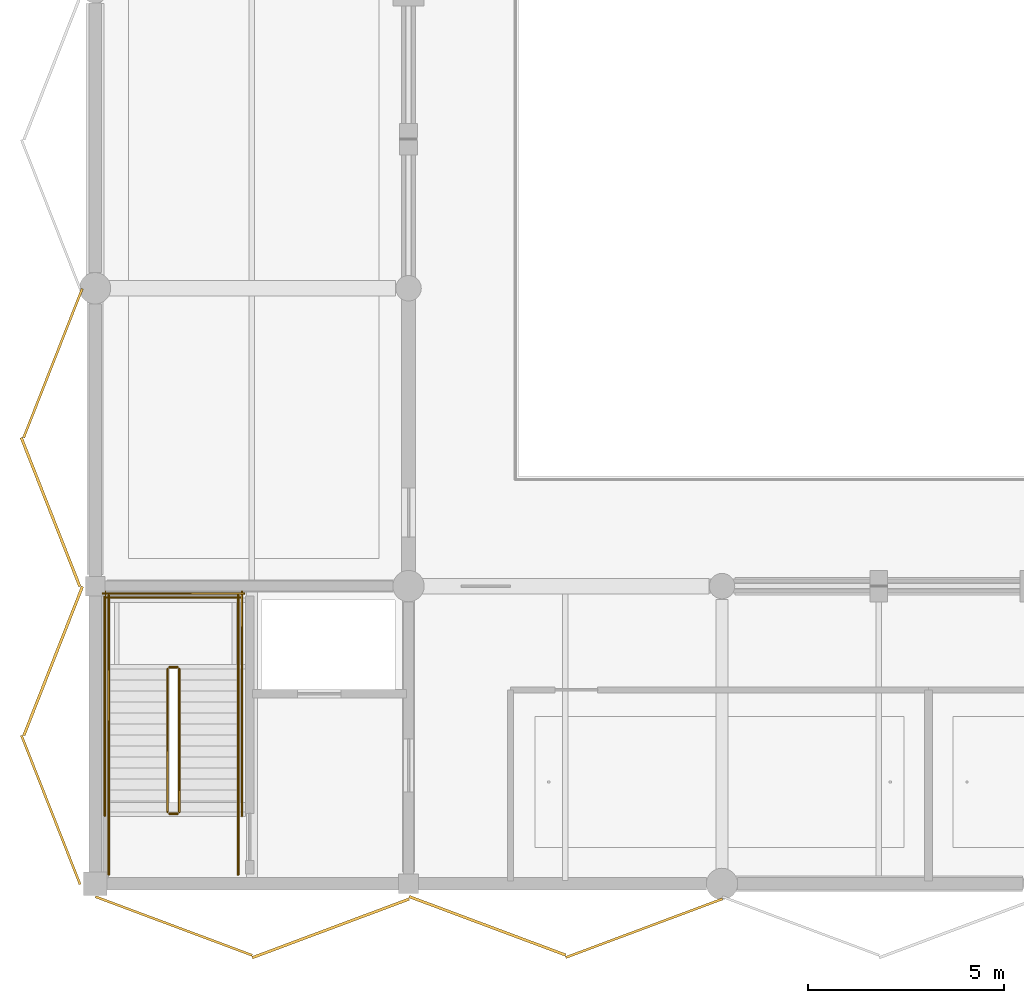
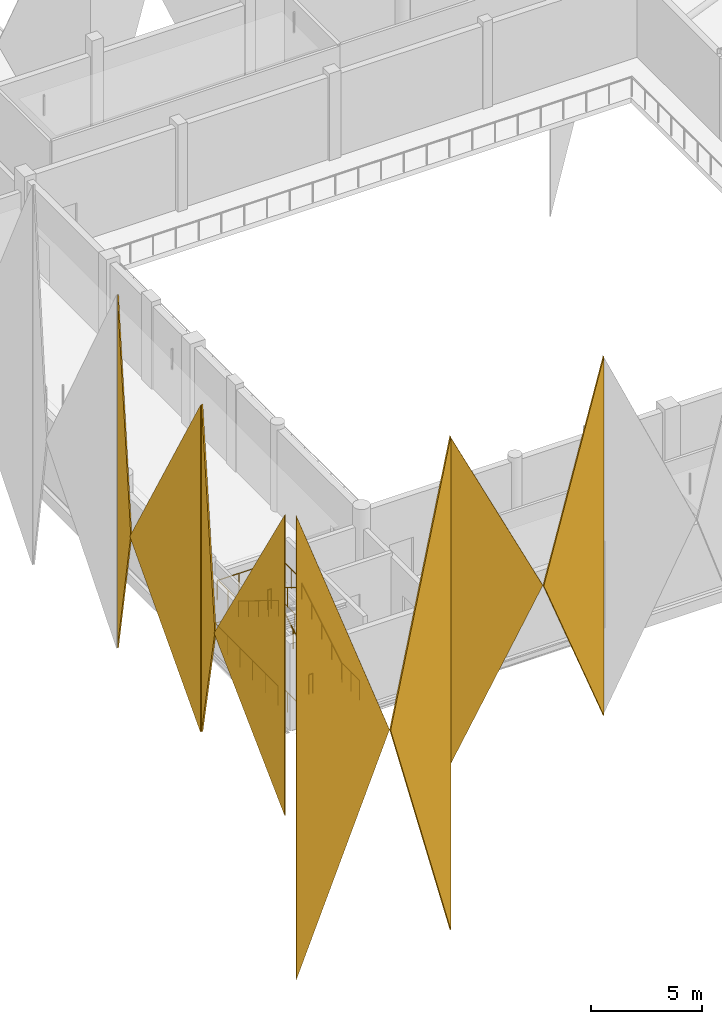
# One storey, part 97 of 107: 14 railings, 8 coverings.
"""IFC4 building model written with IfcOpenShell, lengths in metres."""

from ifc_helpers import new_model, si_unit, direction, frame, origin, origin_2d, place, context, subcontext, project, spatial, polyline, circle, outline, extrude, material, layer, layer_set, type_object, element, save


model = new_model("IFC4")

# Units and contexts
model_context = context("Model", 3, precision=1e-05, world=origin(), true_north=direction((0.0, 1.0)))
body_context = subcontext(model_context, "Body", "Model", "MODEL_VIEW")
ifc_project = project(units=[si_unit("LENGTHUNIT", "METRE"), si_unit("AREAUNIT", "SQUARE_METRE"), si_unit("VOLUMEUNIT", "CUBIC_METRE"), si_unit("PLANEANGLEUNIT", "RADIAN"), si_unit("MASSUNIT", "GRAM", prefix="KILO")], contexts=[model_context])

# Site, building, storey
site_placement = place(None, origin())
site = spatial("IfcSite", under=ifc_project, at=site_placement, CompositionType="ELEMENT")
building_placement = place(site_placement, origin())
building = spatial("IfcBuilding", under=site, at=building_placement, Name="Khelvaren Railside Concert Hall", CompositionType="ELEMENT")
storey_placement = place(building_placement, frame((0.0, 0.0, 15.0)))
storey = spatial("IfcBuildingStorey", under=building, at=storey_placement, Name="L03", CompositionType="ELEMENT", Elevation=15.0)

# Coverings
ifc_material_1 = material(Name="Precast architectural concrete C45/55", Category="concrete")
ifc_layer_1 = layer(ifc_material_1, 0.06005859375)
ifc_layer_set_1 = layer_set([ifc_layer_1], Name="Precast architectural concrete C45/55")
covering_type_1 = type_object("IfcCoveringType", Name="CLD31", PredefinedType="CLADDING", material=ifc_layer_set_1)
covering_1_placement = place(storey_placement, frame((0.0, -0.35498046875, 11.800048828125), z_axis=(-0.35012077399, -0.936704565816, 0.0), x_axis=(0.0, 0.0, -1.0)))
element("IfcCovering", 1, at=covering_1_placement, inside=storey, type_object=covering_type_1, Name="Main Hall Cut-Crystal Flank Facet S-1W", PredefinedType="CLADDING", context=body_context, shape_type="SweptSolid", body=[
    extrude(outline(polyline([(0.0, 0.0), (25.60009765625, 0.0), (12.2880859375, 4.27028985015747), (0.0, 0.0)])), origin(), (0.0, 0.0, -1.0), 0.06005859375),
])
covering_2_placement = place(storey_placement, frame((16.0, -0.35498046875, 15.025634765625), z_axis=(-0.35012077399, 0.936704565816, 0.0), x_axis=(0.0, 0.0, -1.0)))
element("IfcCovering", 2, at=covering_2_placement, inside=storey, type_object=covering_type_1, Name="Main Hall Cut-Crystal Flank Facet S-2E", PredefinedType="CLADDING", context=body_context, shape_type="SweptSolid", body=[
    extrude(outline(polyline([(0.0, 0.0), (19.82568359375, 0.0), (10.35498046875, 4.27028985015747), (0.0, 0.0)])), origin(), (0.0, 0.0, -1.0), 0.06005859375),
])
covering_3_placement = place(storey_placement, frame((-0.35498046875, 0.0, 11.800048828125), z_axis=(0.930564616009, 0.366127703722, 0.0), x_axis=(0.0, 0.0, -1.0)))
element("IfcCovering", 3, at=covering_3_placement, inside=storey, type_object=covering_type_1, Name="Main Hall Cut-Crystal West Flank Facet 1S", PredefinedType="CLADDING", context=body_context, shape_type="SweptSolid", body=[
    extrude(outline(polyline([(0.0, 0.0), (16.60009765625, 0.0), (8.300048828125, 4.083594801212786), (0.0, 0.0)])), origin(), (0.0, 0.0, -1.0), 0.06005859375),
])
covering_4_placement = place(storey_placement, frame((-0.35498046875, 15.199951171875, 14.707763671875), z_axis=(-0.930564616009, 0.366127703722, 0.0), x_axis=(0.0, 0.0, -1.0)))
element("IfcCovering", 4, at=covering_4_placement, inside=storey, type_object=covering_type_1, Name="Main Hall Cut-Crystal West Flank Facet 2N", PredefinedType="CLADDING", context=body_context, shape_type="SweptSolid", body=[
    extrude(outline(polyline([(0.0, 0.0), (19.5078125, 0.0), (10.480712890625, 4.083594801212786), (0.0, 0.0)])), origin(), (0.0, 0.0, -1.0), 0.06005859375),
])
ifc_material_2 = material(Name="Board-marked precast concrete C45/55", Category="concrete")
ifc_layer_2 = layer(ifc_material_2, 0.070068359375)
ifc_layer_set_2 = layer_set([ifc_layer_2], Name="Board-marked precast concrete C45/55")
covering_type_2 = type_object("IfcCoveringType", Name="CLD68", PredefinedType="CLADDING", material=ifc_layer_set_2)
covering_5_placement = place(storey_placement, frame((8.0, -0.35498046875, 13.412841796875), z_axis=(-0.35012077399, 0.936704565816, 0.0), x_axis=(0.0, 0.0, -1.0)))
element("IfcCovering", 5, at=covering_5_placement, inside=storey, type_object=covering_type_2, Name="Main Hall Cut-Crystal Flank Facet S-1E", PredefinedType="CLADDING", context=body_context, shape_type="SweptSolid", body=[
    extrude(outline(polyline([(0.0, 0.0), (27.212890625, 0.0), (13.90087890625, 4.27028985015747), (0.0, 0.0)])), origin(), (0.0, 0.0, -1.0), 0.070068359375),
])
covering_6_placement = place(storey_placement, frame((8.0, -0.35498046875, 13.412841796875), z_axis=(-0.35012077399, -0.936704565816, 0.0), x_axis=(0.0, 0.0, -1.0)))
element("IfcCovering", 6, at=covering_6_placement, inside=storey, type_object=covering_type_2, Name="Main Hall Cut-Crystal Flank Facet S-2W", PredefinedType="CLADDING", context=body_context, shape_type="SweptSolid", body=[
    extrude(outline(polyline([(0.0, 0.0), (18.212890625, 0.0), (8.7421875, 4.270289850157471), (0.0, 0.0)])), origin(), (0.0, 0.0, -1.0), 0.070068359375),
])
covering_7_placement = place(storey_placement, frame((-0.35498046875, 7.60009765625, 13.25390625), z_axis=(-0.930564616009, 0.366127703722, 0.0), x_axis=(0.0, 0.0, -1.0)))
element("IfcCovering", 7, at=covering_7_placement, inside=storey, type_object=covering_type_2, Name="Main Hall Cut-Crystal West Flank Facet 1N", PredefinedType="CLADDING", context=body_context, shape_type="SweptSolid", body=[
    extrude(outline(polyline([(0.0, 0.0), (18.053955078125, 0.0), (9.75390625, 4.0835948012127865), (0.0, 0.0)])), origin(), (0.0, 0.0, -1.0), 0.070068359375),
])
covering_8_placement = place(storey_placement, frame((-0.35498046875, 7.60009765625, 13.25390625), z_axis=(0.930556601095, 0.366148074088, 0.0), x_axis=(0.0, 0.0, -1.0)))
element("IfcCovering", 8, at=covering_8_placement, inside=storey, type_object=covering_type_2, Name="Main Hall Cut-Crystal West Flank Facet 2S", PredefinedType="CLADDING", context=body_context, shape_type="SweptSolid", body=[
    extrude(outline(polyline([(0.0, 0.0), (18.053955078125, 0.0), (9.02685546875, 4.083367613564186), (0.0, 0.0)])), origin(), (0.0, 0.0, -1.0), 0.070068359375),
])

# Railings
ifc_material_3 = material(Name="Painted architectural steel", Category="steel")
railing_type_1 = type_object("IfcRailingType", Name="GRD86", PredefinedType="GUARDRAIL", material=ifc_material_3)
railing_1_placement = place(storey_placement, frame((2.14990234375, 1.840087890625, 0.17138671875)))
element("IfcRailing", 9, at=railing_1_placement, inside=storey, type_object=railing_type_1, Name="L03 ST-01 stair guard 1", PredefinedType="GUARDRAIL", context=body_context, shape_type="SweptSolid", body=[
    extrude(circle(Radius=0.02392578125, at=origin_2d()), frame((0.0, 0.0, 1.076171875), z_axis=(0.0, 0.852850264322, 0.5221555579), x_axis=(-1.0, 0.0, 0.0)), (0.0, 0.0, 1.0), 4.267822265625),
    extrude(circle(Radius=0.02099609375, at=origin_2d()), origin(), (0.0, 0.0, 1.0), 1.052001953125),
    extrude(circle(Radius=0.02099609375, at=origin_2d()), frame((0.0, 0.909912109375, 0.55712890625)), (0.0, 0.0, 1.0), 1.052001953125),
    extrude(circle(Radius=0.02099609375, at=origin_2d()), frame((0.0, 1.81982421875, 1.1142578125)), (0.0, 0.0, 1.0), 1.052001953125),
    extrude(circle(Radius=0.02099609375, at=origin_2d()), frame((0.0, 2.72998046875, 1.67138671875)), (0.0, 0.0, 1.0), 1.052001953125),
    extrude(circle(Radius=0.02099609375, at=origin_2d()), frame((0.0, 3.639892578125, 2.228515625)), (0.0, 0.0, 1.0), 1.052001953125),
])
railing_2_placement = place(storey_placement, frame((2.10009765625, 5.530029296875, 2.39990234375)))
element("IfcRailing", 10, at=railing_2_placement, inside=storey, type_object=railing_type_1, Name="L03 ST-01 stair guard 2", PredefinedType="GUARDRAIL", context=body_context, shape_type="SweptSolid", body=[
    extrude(circle(Radius=0.02392578125, at=origin_2d()), frame((0.0, 0.0, 1.076171875), z_axis=(-1.0, 0.0, 0.0), x_axis=(0.0, -1.0, 0.0)), (0.0, 0.0, 1.0), 0.2001953125),
    extrude(circle(Radius=0.02099609375, at=origin_2d()), origin(), (0.0, 0.0, 1.0), 1.052001953125),
    extrude(circle(Radius=0.02099609375, at=origin_2d()), frame((-0.2001953125, 0.0, 0.0)), (0.0, 0.0, 1.0), 1.052001953125),
])
for number, where, name in (
    (11, (3.64990234375, 5.47998046875, 2.39990234375), "L03 ST-01 stair guard 3"),
    (12, (0.35009765625, 5.47998046875, 2.39990234375), "L03 ST-01 stair guard 4"),
):
    element("IfcRailing", number, at=place(storey_placement, frame(where)), inside=storey, type_object=railing_type_1, Name=name, PredefinedType="GUARDRAIL", context=body_context, shape_type="SweptSolid", body=[
        extrude(circle(Radius=0.02392578125, at=origin_2d()), frame((0.0, 0.0, 1.076171875), z_axis=(0.0, 1.0, 0.0), x_axis=(-1.0, 0.0, 0.0)), (0.0, 0.0, 1.0), 1.880126953125),
        extrude(circle(Radius=0.02099609375, at=origin_2d()), origin(), (0.0, 0.0, 1.0), 1.052001953125),
        extrude(circle(Radius=0.02099609375, at=origin_2d()), frame((0.0, 0.93994140625, 0.0)), (0.0, 0.0, 1.0), 1.052001953125),
        extrude(circle(Radius=0.02099609375, at=origin_2d()), frame((0.0, 1.880126953125, 0.0)), (0.0, 0.0, 1.0), 1.052001953125),
    ])
railing_3_placement = place(storey_placement, frame((3.699951171875, 7.31005859375, 2.39990234375)))
element("IfcRailing", 13, at=railing_3_placement, inside=storey, type_object=railing_type_1, Name="L03 ST-01 stair guard 5", PredefinedType="GUARDRAIL", context=body_context, shape_type="SweptSolid", body=[
    extrude(circle(Radius=0.02392578125, at=origin_2d()), frame((0.0, 0.0, 1.076171875), z_axis=(-1.0, 0.0, 0.0), x_axis=(0.0, -1.0, 0.0)), (0.0, 0.0, 1.0), 3.39990234375),
    extrude(circle(Radius=0.02099609375, at=origin_2d()), origin(), (0.0, 0.0, 1.0), 1.052001953125),
    extrude(circle(Radius=0.02099609375, at=origin_2d()), frame((-1.13330078125, 0.0, 0.0)), (0.0, 0.0, 1.0), 1.052001953125),
    extrude(circle(Radius=0.02099609375, at=origin_2d()), frame((-2.2666015625, 0.0, 0.0)), (0.0, 0.0, 1.0), 1.052001953125),
    extrude(circle(Radius=0.02099609375, at=origin_2d()), frame((-3.39990234375, 0.0, 0.0)), (0.0, 0.0, 1.0), 1.052001953125),
])
railing_4_placement = place(storey_placement, frame((1.85009765625, 5.47998046875, 2.571533203125)))
element("IfcRailing", 14, at=railing_4_placement, inside=storey, type_object=railing_type_1, Name="L03 ST-01 stair guard 6", PredefinedType="GUARDRAIL", context=body_context, shape_type="SweptSolid", body=[
    extrude(circle(Radius=0.02392578125, at=origin_2d()), frame((0.0, 0.0, 1.076171875), z_axis=(0.0, -0.852850264322, 0.5221555579), x_axis=(1.0, 0.0, 0.0)), (0.0, 0.0, 1.0), 4.267822265625),
    extrude(circle(Radius=0.02099609375, at=origin_2d()), origin(), (0.0, 0.0, 1.0), 1.052001953125),
    extrude(circle(Radius=0.02099609375, at=origin_2d()), frame((0.0, -0.909912109375, 0.55712890625)), (0.0, 0.0, 1.0), 1.052001953125),
    extrude(circle(Radius=0.02099609375, at=origin_2d()), frame((0.0, -1.81982421875, 1.1142578125)), (0.0, 0.0, 1.0), 1.052001953125),
    extrude(circle(Radius=0.02099609375, at=origin_2d()), frame((0.0, -2.72998046875, 1.67138671875)), (0.0, 0.0, 1.0), 1.052001953125),
    extrude(circle(Radius=0.02099609375, at=origin_2d()), frame((0.0, -3.639892578125, 2.228515625)), (0.0, 0.0, 1.0), 1.052001953125),
])
railing_5_placement = place(storey_placement, frame((2.10009765625, 1.7900390625, 0.0)))
element("IfcRailing", 15, at=railing_5_placement, inside=storey, type_object=railing_type_1, Name="L03 ST-01 stair guard 7", PredefinedType="GUARDRAIL", context=body_context, shape_type="SweptSolid", body=[
    extrude(circle(Radius=0.02392578125, at=origin_2d()), frame((0.0, 0.0, 1.076171875), z_axis=(-1.0, 0.0, 0.0), x_axis=(0.0, -1.0, 0.0)), (0.0, 0.0, 1.0), 0.2001953125),
    extrude(circle(Radius=0.02099609375, at=origin_2d()), origin(), (0.0, 0.0, 1.0), 1.052001953125),
    extrude(circle(Radius=0.02099609375, at=origin_2d()), frame((-0.2001953125, 0.0, 0.0)), (0.0, 0.0, 1.0), 1.052001953125),
])
for number, where, name in (
    (16, (3.64990234375, 0.239990234375, 0.0), "L03 ST-01 stair guard 8"),
    (17, (0.35009765625, 0.239990234375, 0.0), "L03 ST-01 stair guard 9"),
):
    element("IfcRailing", number, at=place(storey_placement, frame(where)), inside=storey, type_object=railing_type_1, Name=name, PredefinedType="GUARDRAIL", context=body_context, shape_type="SweptSolid", body=[
        extrude(circle(Radius=0.02392578125, at=origin_2d()), frame((0.0, 0.0, 1.076171875), z_axis=(0.0, 1.0, 0.0), x_axis=(-1.0, 0.0, 0.0)), (0.0, 0.0, 1.0), 1.60009765625),
        extrude(circle(Radius=0.02099609375, at=origin_2d()), origin(), (0.0, 0.0, 1.0), 1.052001953125),
        extrude(circle(Radius=0.02099609375, at=origin_2d()), frame((0.0, 0.800048828125, 0.0)), (0.0, 0.0, 1.0), 1.052001953125),
        extrude(circle(Radius=0.02099609375, at=origin_2d()), frame((0.0, 1.60009765625, 0.0)), (0.0, 0.0, 1.0), 1.052001953125),
    ])
for number, where, name in (
    (18, (3.75, 1.739990234375, 0.0), "L03 ST-01 stair guard 10"),
    (19, (0.25, 1.739990234375, 0.0), "L03 ST-01 stair guard 11"),
):
    element("IfcRailing", number, at=place(storey_placement, frame(where)), inside=storey, type_object=railing_type_1, Name=name, PredefinedType="GUARDRAIL", context=body_context, shape_type="SweptSolid", body=[
        extrude(circle(Radius=0.02392578125, at=origin_2d()), frame((0.0, 0.0, 1.076171875), z_axis=(0.0, 1.0, 0.0), x_axis=(-1.0, 0.0, 0.0)), (0.0, 0.0, 1.0), 5.719970703125),
        extrude(circle(Radius=0.02099609375, at=origin_2d()), origin(), (0.0, 0.0, 1.0), 1.052001953125),
        extrude(circle(Radius=0.02099609375, at=origin_2d()), frame((0.0, 1.14404296875, 0.0)), (0.0, 0.0, 1.0), 1.052001953125),
        extrude(circle(Radius=0.02099609375, at=origin_2d()), frame((0.0, 2.2880859375, 0.0)), (0.0, 0.0, 1.0), 1.052001953125),
        extrude(circle(Radius=0.02099609375, at=origin_2d()), frame((0.0, 3.431884765625, 0.0)), (0.0, 0.0, 1.0), 1.052001953125),
        extrude(circle(Radius=0.02099609375, at=origin_2d()), frame((0.0, 4.575927734375, 0.0)), (0.0, 0.0, 1.0), 1.052001953125),
        extrude(circle(Radius=0.02099609375, at=origin_2d()), frame((0.0, 5.719970703125, 0.0)), (0.0, 0.0, 1.0), 1.052001953125),
    ])
railing_6_placement = place(storey_placement, frame((3.800048828125, 7.409912109375, 0.0)))
element("IfcRailing", 20, at=railing_6_placement, inside=storey, type_object=railing_type_1, Name="L03 ST-01 stair guard 12", PredefinedType="GUARDRAIL", context=body_context, shape_type="SweptSolid", body=[
    extrude(circle(Radius=0.02392578125, at=origin_2d()), frame((0.0, 0.0, 1.076171875), z_axis=(-1.0, 0.0, 0.0), x_axis=(0.0, -1.0, 0.0)), (0.0, 0.0, 1.0), 3.60009765625),
    extrude(circle(Radius=0.02099609375, at=origin_2d()), origin(), (0.0, 0.0, 1.0), 1.052001953125),
    extrude(circle(Radius=0.02099609375, at=origin_2d()), frame((-0.89990234375, 0.0, 0.0)), (0.0, 0.0, 1.0), 1.052001953125),
    extrude(circle(Radius=0.02099609375, at=origin_2d()), frame((-1.800048828125, 0.0, 0.0)), (0.0, 0.0, 1.0), 1.052001953125),
    extrude(circle(Radius=0.02099609375, at=origin_2d()), frame((-2.7001953125, 0.0, 0.0)), (0.0, 0.0, 1.0), 1.052001953125),
    extrude(circle(Radius=0.02099609375, at=origin_2d()), frame((-3.60009765625, 0.0, 0.0)), (0.0, 0.0, 1.0), 1.052001953125),
])
ifc_material_4 = material(Name="Brushed stainless steel Grade 316", Category="steel")
railing_type_2 = type_object("IfcRailingType", Name="HRL59", PredefinedType="HANDRAIL", material=ifc_material_4)
railing_7_placement = place(storey_placement, frame((3.64990234375, 1.840087890625, 0.17138671875)))
element("IfcRailing", 21, at=railing_7_placement, inside=storey, type_object=railing_type_2, Name="L03 ST-01 stair handrail 1", PredefinedType="HANDRAIL", context=body_context, shape_type="SweptSolid", body=[
    extrude(circle(Radius=0.02392578125, at=origin_2d()), frame((0.0, 0.0, 0.8759765625), z_axis=(0.0, 0.852850264322, 0.5221555579), x_axis=(-1.0, 0.0, 0.0)), (0.0, 0.0, 1.0), 4.267822265625),
    extrude(circle(Radius=0.02099609375, at=origin_2d()), origin(), (0.0, 0.0, 1.0), 0.851806640625),
    extrude(circle(Radius=0.02099609375, at=origin_2d()), frame((0.0, 0.909912109375, 0.55712890625)), (0.0, 0.0, 1.0), 0.851806640625),
    extrude(circle(Radius=0.02099609375, at=origin_2d()), frame((0.0, 1.81982421875, 1.1142578125)), (0.0, 0.0, 1.0), 0.851806640625),
    extrude(circle(Radius=0.02099609375, at=origin_2d()), frame((0.0, 2.72998046875, 1.67138671875)), (0.0, 0.0, 1.0), 0.851806640625),
    extrude(circle(Radius=0.02099609375, at=origin_2d()), frame((0.0, 3.639892578125, 2.228515625)), (0.0, 0.0, 1.0), 0.851806640625),
])
railing_8_placement = place(storey_placement, frame((0.35009765625, 5.47998046875, 2.571533203125)))
element("IfcRailing", 22, at=railing_8_placement, inside=storey, type_object=railing_type_2, Name="L03 ST-01 stair handrail 2", PredefinedType="HANDRAIL", context=body_context, shape_type="SweptSolid", body=[
    extrude(circle(Radius=0.02392578125, at=origin_2d()), frame((0.0, 0.0, 0.8759765625), z_axis=(0.0, -0.852850264322, 0.5221555579), x_axis=(1.0, 0.0, 0.0)), (0.0, 0.0, 1.0), 4.267822265625),
    extrude(circle(Radius=0.02099609375, at=origin_2d()), origin(), (0.0, 0.0, 1.0), 0.851806640625),
    extrude(circle(Radius=0.02099609375, at=origin_2d()), frame((0.0, -0.909912109375, 0.55712890625)), (0.0, 0.0, 1.0), 0.851806640625),
    extrude(circle(Radius=0.02099609375, at=origin_2d()), frame((0.0, -1.81982421875, 1.1142578125)), (0.0, 0.0, 1.0), 0.851806640625),
    extrude(circle(Radius=0.02099609375, at=origin_2d()), frame((0.0, -2.72998046875, 1.67138671875)), (0.0, 0.0, 1.0), 0.851806640625),
    extrude(circle(Radius=0.02099609375, at=origin_2d()), frame((0.0, -3.639892578125, 2.228515625)), (0.0, 0.0, 1.0), 0.851806640625),
])

save(model, "model.ifc")
